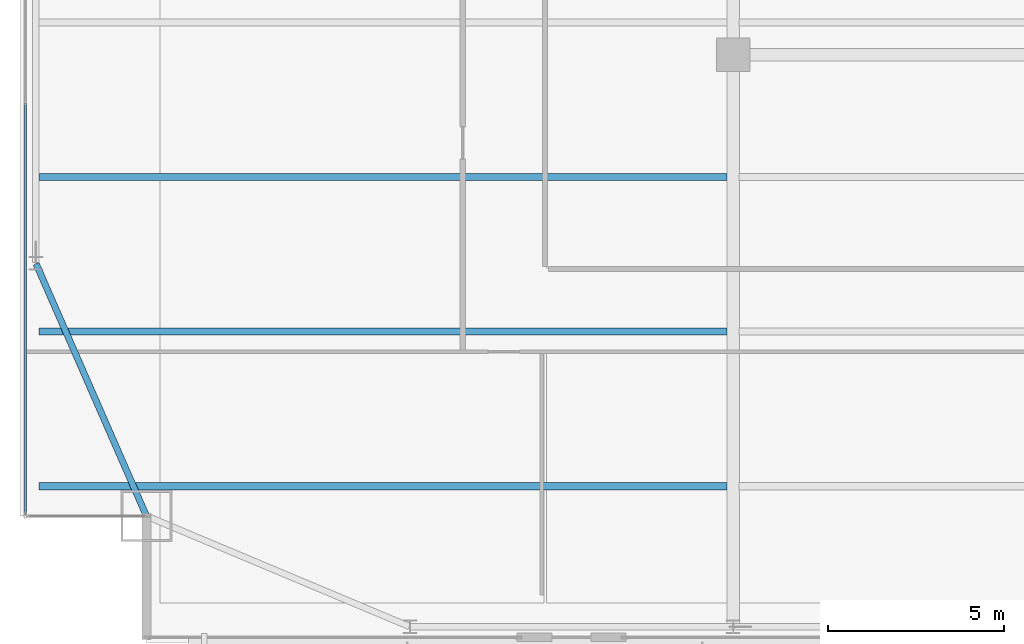
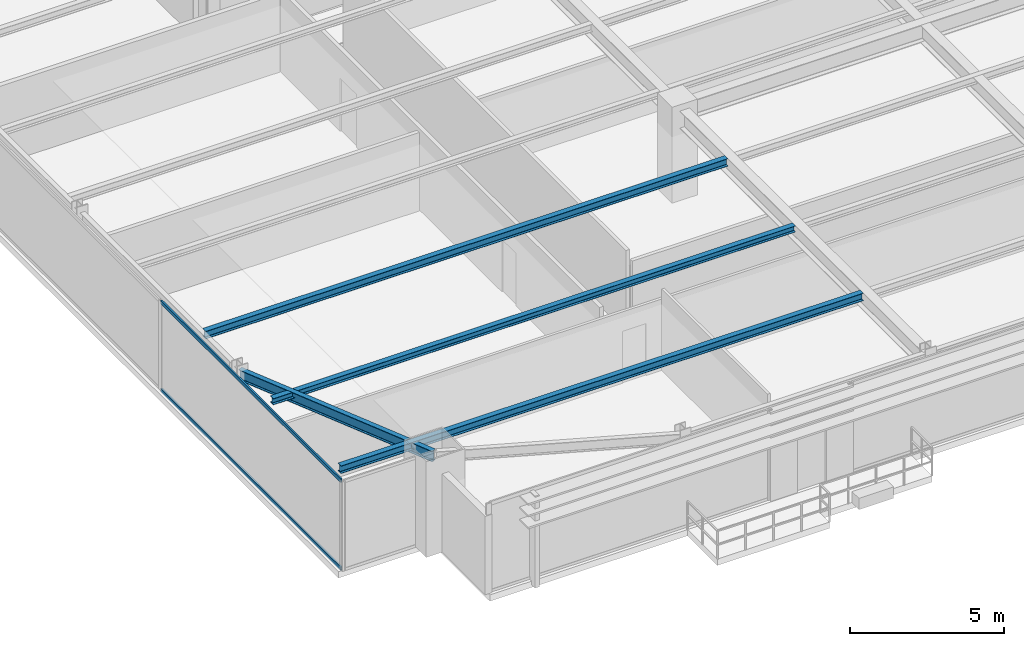
# One storey, part 5 of 36: 4 beams, 2 members, 1 element without a shape of its own.
"""IFC4 building model written with IfcOpenShell, lengths in metres."""

from ifc_helpers import new_model, si_unit, direction, frame, origin, origin_2d, place, context, subcontext, project, spatial, hollow_rectangle, i_section, extrude, source, transform, mapped, material, layer, layer_set, material_profile, profile_set, type_object, type_shapes, element, aggregate, save


model = new_model("IFC4")

# Units and contexts
model_context = context("Model", 3, precision=1e-05, world=origin(), true_north=direction((0.0, 1.0)))
body_context = subcontext(model_context, "Body", "Model", "MODEL_VIEW")
ifc_project = project(units=[si_unit("LENGTHUNIT", "METRE"), si_unit("AREAUNIT", "SQUARE_METRE"), si_unit("VOLUMEUNIT", "CUBIC_METRE"), si_unit("PLANEANGLEUNIT", "RADIAN"), si_unit("MASSUNIT", "GRAM", prefix="KILO")], contexts=[model_context])

# Site, building, storey
site_placement = place(None, origin())
site = spatial("IfcSite", under=ifc_project, at=site_placement, CompositionType="ELEMENT")
building_placement = place(site_placement, origin())
building = spatial("IfcBuilding", under=site, at=building_placement, Name="Varnel Quay Broadcast Tower", CompositionType="ELEMENT")
storey_placement = place(building_placement, frame((0.0, 0.0, 114.39990234375)))
storey = spatial("IfcBuildingStorey", under=building, at=storey_placement, Name="L27", CompositionType="ELEMENT", Elevation=114.39990234375)

# Beams
ifc_material_1 = material(Name="Structural Steel CSA G40.21 350W", Category="steel")
ifc_material_profile_1 = material_profile(ifc_material_1, i_section(OverallWidth=0.180908203125, OverallDepth=0.4169921875, WebThickness=0.010986328125, FlangeThickness=0.018310546875, FilletRadius=0.011962890625, at=origin_2d()), Name="W410X85")
ifc_profile_set_1 = profile_set([ifc_material_profile_1], Name="Structural Steel CSA G40.21 350W")
beam_type_1 = type_object("IfcBeamType", Name="Beam_W410X85", PredefinedType="SPANDREL", material=ifc_profile_set_1)
shared_shape_1 = source(origin(), body_context, "Body", "SweptSolid", [
    extrude(i_section(OverallWidth=0.180908203125, OverallDepth=0.4169921875, WebThickness=0.010986328125, FlangeThickness=0.018310546875, FilletRadius=0.011962890625, at=origin_2d()), origin(), (0.0, 0.0, 1.0), 7.81884765625),
])
type_shapes(beam_type_1, [shared_shape_1])
beam_1_placement = place(storey_placement, frame((8.092041015625, 7.818359375, 3.341552734375), z_axis=(-0.400827023998, 0.916153751743, 0.0), x_axis=(-0.916153751743, -0.400827023998, 0.0)))
element("IfcBeam", 1, at=beam_1_placement, inside=storey, type_object=beam_type_1, Name="L27 West Spandrel MC-SW-TC-W1", PredefinedType="SPANDREL", context=body_context, shape_type="MappedRepresentation", body=[
    mapped(shared_shape_1, transform((0.0, 0.0, 0.0), x_axis=(1.0, 0.0, 0.0), y_axis=(0.0, 1.0, 0.0), z_axis=(0.0, 0.0, 1.0), scale=1.0)),
])
ifc_material_profile_2 = material_profile(ifc_material_1, i_section(OverallWidth=0.202880859375, OverallDepth=0.302978515625, WebThickness=0.007568359375, FlangeThickness=0.01318359375, FilletRadius=0.011962890625, at=origin_2d()), Name="W310X60")
ifc_profile_set_2 = profile_set([ifc_material_profile_2], Name="Structural Steel CSA G40.21 350W")
beam_type_2 = type_object("IfcBeamType", Name="Beam_W310X60", PredefinedType="JOIST", material=ifc_profile_set_2)
shared_shape_2 = source(origin(), body_context, "Body", "SweptSolid", [
    extrude(i_section(OverallWidth=0.202880859375, OverallDepth=0.302978515625, WebThickness=0.007568359375, FlangeThickness=0.01318359375, FilletRadius=0.011962890625, at=origin_2d()), origin(), (0.0, 0.0, 1.0), 19.592041015625),
])
type_shapes(beam_type_2, [shared_shape_2])
for number, where, z_axis, x_axis, name in (
    (2, (5.035400390625, 8.64990234375, 3.398681640625), (1.0, 0.0, 0.0), (0.0, 1.0, 0.0), "L27 West Floor Joist 1"),
    (3, (5.035400390625, 17.449951171875, 3.398681640625), (1.0, 0.0, 0.0), (0.0, 1.0, 0.0), "L27 West Floor Joist 3"),
):
    element("IfcBeam", number, at=place(storey_placement, frame(where, z_axis=z_axis, x_axis=x_axis)), inside=storey, type_object=beam_type_2, Name=name, PredefinedType="JOIST", context=body_context, shape_type="MappedRepresentation", body=[
        mapped(shared_shape_2, transform((0.0, 0.0, 0.0), x_axis=(1.0, 0.0, 0.0), y_axis=(0.0, 1.0, 0.0), z_axis=(0.0, 0.0, 1.0), scale=1.0)),
    ])
ifc_material_profile_3 = material_profile(ifc_material_1, i_section(OverallWidth=0.201904296875, OverallDepth=0.2470703125, WebThickness=0.00732421875, FlangeThickness=0.010986328125, FilletRadius=0.010986328125, at=origin_2d()), Name="W250X49")
ifc_profile_set_3 = profile_set([ifc_material_profile_3], Name="Structural Steel CSA G40.21 350W")
beam_type_3 = type_object("IfcBeamType", Name="Beam_W250X49", PredefinedType="JOIST", material=ifc_profile_set_3)
shared_shape_3 = source(origin(), body_context, "Body", "SweptSolid", [
    extrude(i_section(OverallWidth=0.201904296875, OverallDepth=0.2470703125, WebThickness=0.00732421875, FlangeThickness=0.010986328125, FilletRadius=0.010986328125, at=origin_2d()), origin(), (0.0, 0.0, 1.0), 19.592041015625),
])
type_shapes(beam_type_3, [shared_shape_3])
beam_2_placement = place(storey_placement, frame((5.035400390625, 13.050048828125, 3.426513671875), z_axis=(1.0, 0.0, 0.0), x_axis=(0.0, 1.0, 0.0)))
element("IfcBeam", 4, at=beam_2_placement, inside=storey, type_object=beam_type_3, Name="L27 West Floor Joist 2", PredefinedType="JOIST", context=body_context, shape_type="MappedRepresentation", body=[
    mapped(shared_shape_3, transform((0.0, 0.0, 0.0), x_axis=(1.0, 0.0, 0.0), y_axis=(0.0, 1.0, 0.0), z_axis=(0.0, 0.0, 1.0), scale=1.0)),
])

# Curtain wall, members
ifc_material_2 = material(Name="Anodised Bronze Aluminium 6063-T6", Category="aluminium")
ifc_layer = layer(ifc_material_2, 0.18994140625, Name="Anodised Bronze Aluminium 6063-T6")
ifc_layer_set = layer_set([ifc_layer], Name="Anodised Bronze Aluminium 6063-T6")
curtain_wall_type = type_object("IfcCurtainWallType", Name="CW_LowerTower", PredefinedType="NOTDEFINED", material=ifc_layer_set)
curtain_wall_placement = place(storey_placement, origin())
curtain_wall = element("IfcCurtainWall", 5, at=curtain_wall_placement, inside=storey, type_object=curtain_wall_type, Name="L27 West Unitised Curtain Wall", PredefinedType="NOTDEFINED")
ifc_material_profile_4 = material_profile(ifc_material_2, hollow_rectangle(XDim=0.06005859375, YDim=0.14501953125, WallThickness=0.00341796875, at=origin_2d()), Name="ALU60X145X3.5")
ifc_profile_set_4 = profile_set([ifc_material_profile_4], Name="Anodised Bronze Aluminium 6063-T6")
member_type = type_object("IfcMemberType", Name="Tran_CWS-02", PredefinedType="USERDEFINED", material=ifc_profile_set_4)
shared_shape_4 = source(origin(), body_context, "Body", "SweptSolid", [
    extrude(hollow_rectangle(XDim=0.06005859375, YDim=0.14501953125, WallThickness=0.00341796875, at=origin_2d()), origin(), (0.0, 0.0, 1.0), 11.69482421875),
])
type_shapes(member_type, [shared_shape_4])
member_1_placement = place(storey_placement, frame((4.64990234375, 7.8701171875, 0.030029296875), z_axis=(0.0, 1.0, 0.0), x_axis=(-1.0, 0.0, 0.0)))
member_1 = element("IfcMember", 6, at=member_1_placement, type_object=member_type, Name="CWS-02 transom 1.1", ObjectType="TRANSOM", PredefinedType="USERDEFINED", context=body_context, shape_type="MappedRepresentation", body=[
    mapped(shared_shape_4, transform((0.0, 0.0, 0.0), x_axis=(1.0, 0.0, 0.0), y_axis=(0.0, 1.0, 0.0), z_axis=(0.0, 0.0, 1.0), scale=1.0)),
])
member_2_placement = place(storey_placement, frame((4.64990234375, 7.8701171875, 3.52001953125), z_axis=(0.0, 1.0, 0.0), x_axis=(-1.0, 0.0, 0.0)))
member_2 = element("IfcMember", 7, at=member_2_placement, type_object=member_type, Name="CWS-02 transom 1.2", ObjectType="TRANSOM", PredefinedType="USERDEFINED", context=body_context, shape_type="MappedRepresentation", body=[
    mapped(shared_shape_4, transform((0.0, 0.0, 0.0), x_axis=(1.0, 0.0, 0.0), y_axis=(0.0, 1.0, 0.0), z_axis=(0.0, 0.0, 1.0), scale=1.0)),
])
aggregate(curtain_wall, [member_1, member_2])

save(model, "model.ifc")
